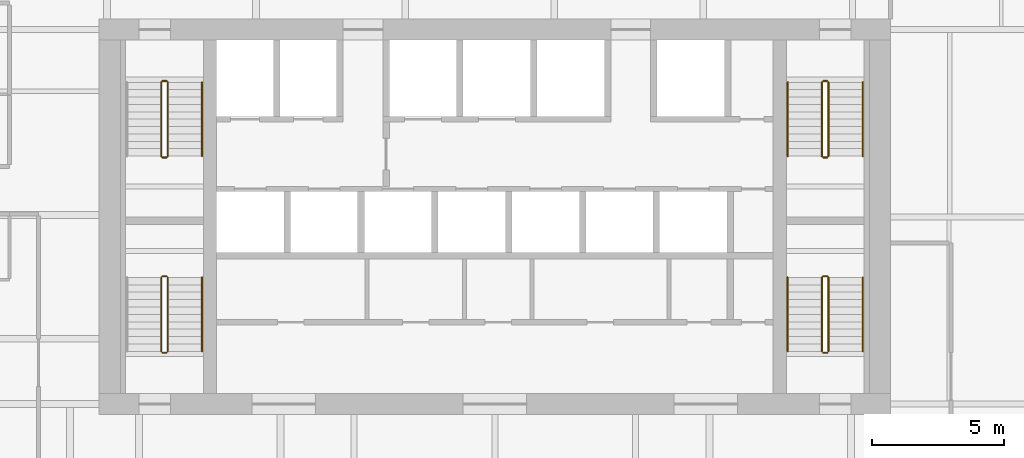
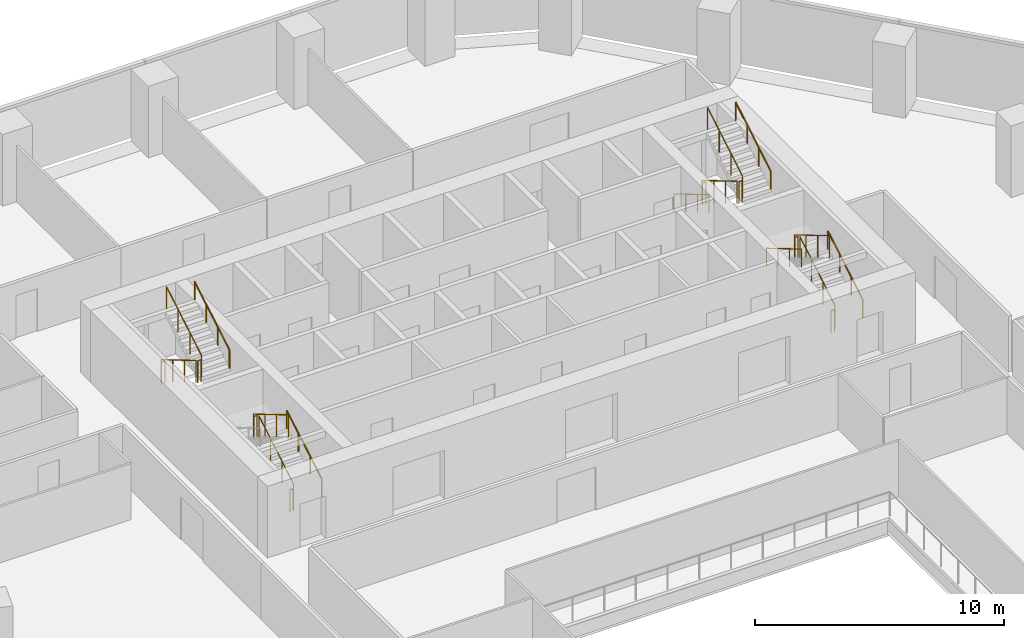
# One storey, part 15 of 16: 22 railings.
"""IFC4 building model written with IfcOpenShell, lengths in metres."""

import ifcopenshell
import ifcopenshell.guid

model = None  # the IFC model being written
_history = None  # IfcOwnerHistory: only IFC2X3 demands one
_inside = {}  # id of a spatial element -> (the spatial element, [elements in it])
_under = {}  # id of a project, library or spatial element -> (it, [spatial elements below it])
_declared = {}  # id of a project -> (the project, [libraries it declares])
_typed = {}  # id of a type object -> (the type object, [elements of that type])
_made_of = {}  # id of a material, layer set ... -> (it, [elements and type objects made of it])


def new_model(schema):
    """Start an empty IFC model of exactly this schema.

    Asked for "IFC4X3", IfcOpenShell would pick the latest addendum, in which some entities
    have other attributes; the version numbers below select the first issue.
    IFC2X3 requires an IfcOwnerHistory on every rooted entity: one is made here for all.
    """
    global model, _history
    if schema == "IFC4X3":
        model = ifcopenshell.file(schema_version=(4, 3, 0, 0))
    else:
        model = ifcopenshell.file(schema=schema)
    _inside.clear()
    _under.clear()
    _declared.clear()
    _typed.clear()
    _made_of.clear()
    _history = None
    if model.schema == "IFC2X3":
        org = make("IfcOrganization", Name="unknown")
        user = make(
            "IfcPersonAndOrganization",
            ThePerson=make("IfcPerson", FamilyName="unknown"),
            TheOrganization=org,
        )
        app = make(
            "IfcApplication",
            ApplicationDeveloper=org,
            Version="unknown",
            ApplicationFullName="unknown",
            ApplicationIdentifier="unknown",
        )
        _history = make(
            "IfcOwnerHistory",
            OwningUser=user,
            OwningApplication=app,
            ChangeAction="ADDED",
            CreationDate=0,
        )
    return model


def make(cls, **values):
    """One entity of the class cls with the attributes given. An attribute that is None is left unset."""
    return model.create_entity(
        cls, **{name: value for name, value in values.items() if value is not None}
    )


def rooted(cls, **values):
    """An entity with a GlobalId (a new one), such as an element, a storey or a relation."""
    return make(cls, GlobalId=ifcopenshell.guid.new(), OwnerHistory=_history, **values)


def si_unit(unit_type, name, prefix=None):
    """IfcSIUnit, for example si_unit("LENGTHUNIT", "METRE", prefix="MILLI")."""
    return make("IfcSIUnit", UnitType=unit_type, Prefix=prefix, Name=name)


def assignment(units):
    """IfcUnitAssignment: the units of a project."""
    return None if units is None else make("IfcUnitAssignment", Units=units)


def point(xyz):
    """IfcCartesianPoint."""
    return None if xyz is None else make("IfcCartesianPoint", Coordinates=xyz)


def direction(xyz):
    """IfcDirection."""
    return None if xyz is None else make("IfcDirection", DirectionRatios=xyz)


def frame(location, z_axis=None, x_axis=None):
    """IfcAxis2Placement3D, a coordinate frame: its origin and axes. An axis left out is left unset."""
    return make(
        "IfcAxis2Placement3D",
        Location=point(location),
        Axis=direction(z_axis),
        RefDirection=direction(x_axis),
    )


def frame_2d(location, x_axis=None):
    """IfcAxis2Placement2D, a coordinate frame in the plane: its origin and x axis."""
    return make(
        "IfcAxis2Placement2D", Location=point(location), RefDirection=direction(x_axis)
    )


def origin():
    """The frame at (0, 0, 0) with its axes left unset."""
    return frame((0.0, 0.0, 0.0))


def origin_2d():
    """The frame at (0, 0) in the plane with its x axis left unset."""
    return frame_2d((0.0, 0.0))


def place(relative_to, where):
    """IfcLocalPlacement: puts the frame where relative to a parent placement (None: the world)."""
    return make(
        "IfcLocalPlacement", PlacementRelTo=relative_to, RelativePlacement=where
    )


def context(
    kind, dimensions, precision=None, world=None, true_north=None, identifier=None
):
    """IfcGeometricRepresentationContext, for example the 3D "Model" context."""
    return make(
        "IfcGeometricRepresentationContext",
        ContextIdentifier=identifier,
        ContextType=kind,
        CoordinateSpaceDimension=dimensions,
        Precision=precision,
        WorldCoordinateSystem=world,
        TrueNorth=true_north,
    )


def subcontext(parent, identifier, kind, view, scale=None):
    """IfcGeometricRepresentationSubContext, for example "Body" below "Model"."""
    return make(
        "IfcGeometricRepresentationSubContext",
        ContextIdentifier=identifier,
        ContextType=kind,
        ParentContext=parent,
        TargetScale=scale,
        TargetView=view,
    )


def project(units=None, contexts=None):
    """IfcProject with its units and contexts."""
    return rooted(
        "IfcProject",
        Name="project",
        RepresentationContexts=contexts,
        UnitsInContext=assignment(units),
    )


def spatial(cls, under=None, at=None, **own):
    """A site, building, storey or space (cls), placed at a placement, below another one or the project."""
    s = rooted(cls, ObjectPlacement=at, **own)
    if under is not None:
        _under.setdefault(under.id(), (under, []))[1].append(s)
    return s


def profile(cls, at=None, kind="AREA", **sizes):
    """A parametric profile (cls). Its sizes go by their IFC names, for example OverallWidth=200.0."""
    return make(cls, ProfileType=kind, Position=at, **sizes)


def circle(**sizes):
    """IfcCircleProfileDef."""
    return profile("IfcCircleProfileDef", **sizes)


def extrude(swept, where, along, depth):
    """IfcExtrudedAreaSolid: the profile swept, set in the frame where, extruded along a direction by depth."""
    return make(
        "IfcExtrudedAreaSolid",
        SweptArea=swept,
        Position=where,
        ExtrudedDirection=direction(along),
        Depth=depth,
    )


def shape(context_of_items, identifier, shape_type, items):
    """IfcShapeRepresentation: the items that make up one representation, for example the "Body"."""
    return make(
        "IfcShapeRepresentation",
        ContextOfItems=context_of_items,
        RepresentationIdentifier=identifier,
        RepresentationType=shape_type,
        Items=items,
    )


def material(Name=None, Category=None):
    """IfcMaterial."""
    return make("IfcMaterial", Name=Name, Category=Category)


def made_of(thing, what):
    """Note that an element or type object is made of a material, layer set ...; save() writes the relation."""
    if what is not None:
        _made_of.setdefault(what.id(), (what, []))[1].append(thing)
    return thing


def type_object(cls, material=None, **own):
    """A type object (cls), such as IfcWallType, which elements share."""
    return made_of(rooted(cls, **own), material)


def element(
    cls,
    number,
    at=None,
    inside=None,
    cuts=None,
    type_object=None,
    material=None,
    context=None,
    identifier="Body",
    shape_type=None,
    held_by="IfcProductDefinitionShape",
    body=None,
    shapes=None,
    **own,
):
    """One element of the class cls, such as IfcWall. Its Tag is "e" and its number.

    at: its placement. inside: the storey or other place that contains it. cuts: it is an
    opening in that element (IfcRelVoidsElement). A single representation is given by context,
    identifier, shape_type and body (its items); several are given by shapes. held_by: the class
    of the entity that holds the representations. save() writes the other relations.
    """
    e = rooted(cls, Tag="e%d" % number, ObjectPlacement=at, **own)
    if body is not None:
        shapes = [shape(context, identifier, shape_type, body)]
    if shapes is not None:
        e.Representation = make(held_by, Representations=shapes)
    if inside is not None:
        _inside.setdefault(inside.id(), (inside, []))[1].append(e)
    if cuts is not None:
        rooted(
            "IfcRelVoidsElement", RelatingBuildingElement=cuts, RelatedOpeningElement=e
        )
    if type_object is not None:
        _typed.setdefault(type_object.id(), (type_object, []))[1].append(e)
    return made_of(e, material)


def aggregate(whole, parts):
    """IfcRelAggregates: a whole, such as a stair, and the parts it consists of."""
    return rooted("IfcRelAggregates", RelatingObject=whole, RelatedObjects=parts)


def save(model, path):
    """Write the relations noted so far, then the file.

    IfcRelAggregates (storeys below a building ...), IfcRelContainedInSpatialStructure (elements
    in a storey), IfcRelDefinesByType, IfcRelAssociatesMaterial and IfcRelDeclares: one each for
    every whole, place, type object, material and project.
    """
    for whole, parts in _under.values():
        aggregate(whole, parts)
    for where, things in _inside.values():
        rooted(
            "IfcRelContainedInSpatialStructure",
            RelatedElements=things,
            RelatingStructure=where,
        )
    for kind, things in _typed.values():
        rooted("IfcRelDefinesByType", RelatedObjects=things, RelatingType=kind)
    for what, things in _made_of.values():
        rooted("IfcRelAssociatesMaterial", RelatedObjects=things, RelatingMaterial=what)
    for by, libraries in _declared.values():
        rooted("IfcRelDeclares", RelatingContext=by, RelatedDefinitions=libraries)
    model.write(path)


model = new_model("IFC4")

# Units and contexts
model_context = context("Model", 3, precision=1e-05, world=origin(), true_north=direction((0.0, 1.0)))
body_context = subcontext(model_context, "Body", "Model", "MODEL_VIEW")
ifc_project = project(units=[si_unit("LENGTHUNIT", "METRE"), si_unit("AREAUNIT", "SQUARE_METRE"), si_unit("VOLUMEUNIT", "CUBIC_METRE"), si_unit("PLANEANGLEUNIT", "RADIAN"), si_unit("MASSUNIT", "GRAM", prefix="KILO")], contexts=[model_context])

# Site, building, storey
site_placement = place(None, origin())
site = spatial("IfcSite", under=ifc_project, at=site_placement, CompositionType="ELEMENT")
building_placement = place(site_placement, origin())
building = spatial("IfcBuilding", under=site, at=building_placement, Name="Isthmus Gate Tower", CompositionType="ELEMENT")
storey_placement = place(building_placement, frame((0.0, 0.0, 148.050048828125)))
storey = spatial("IfcBuildingStorey", under=building, at=storey_placement, Name="L36", CompositionType="ELEMENT", Elevation=148.050048828125)

# Railings
ifc_material_1 = material(Name="Stainless steel balustrade", Category="steel")
railing_type_1 = type_object("IfcRailingType", Name="STAIR GUARD 1100", PredefinedType="GUARDRAIL", material=ifc_material_1)
railing_1_placement = place(storey_placement, frame((-12.64990234375, 12.60009765625, 0.165771484375)))
element("IfcRailing", 1, at=railing_1_placement, inside=storey, type_object=railing_type_1, Name="L36 ST1 stair guard 1", PredefinedType="GUARDRAIL", context=body_context, shape_type="SweptSolid", body=[
    extrude(circle(Radius=0.02392578125, at=origin_2d()), frame((0.0, 0.0, 1.076171875), z_axis=(0.0, -0.860306154799, 0.50977771628), x_axis=(1.0, 0.0, 0.0)), (0.0, 0.0, 1.0), 3.254638671875),
    extrude(circle(Radius=0.02099609375, at=origin_2d()), origin(), (0.0, 0.0, 1.0), 1.052001953125),
    extrude(circle(Radius=0.02099609375, at=origin_2d()), frame((0.0, -0.933349609375, 0.552978515625)), (0.0, 0.0, 1.0), 1.052001953125),
    extrude(circle(Radius=0.02099609375, at=origin_2d()), frame((0.0, -1.86669921875, 1.106201171875)), (0.0, 0.0, 1.0), 1.052001953125),
    extrude(circle(Radius=0.02099609375, at=origin_2d()), frame((0.0, -2.800048828125, 1.6591796875)), (0.0, 0.0, 1.0), 1.052001953125),
])
railing_2_placement = place(storey_placement, frame((-12.60009765625, 9.75, 1.824951171875)))
element("IfcRailing", 2, at=railing_2_placement, inside=storey, type_object=railing_type_1, Name="L36 ST1 stair guard 2", PredefinedType="GUARDRAIL", context=body_context, shape_type="SweptSolid", body=[
    extrude(circle(Radius=0.02392578125, at=origin_2d()), frame((0.0, 0.0, 1.076171875), z_axis=(1.0, 0.0, 0.0), x_axis=(0.0, 1.0, 0.0)), (0.0, 0.0, 1.0), 0.150146484375),
    extrude(circle(Radius=0.02099609375, at=origin_2d()), origin(), (0.0, 0.0, 1.0), 1.052001953125),
    extrude(circle(Radius=0.02099609375, at=origin_2d()), frame((0.150146484375, 0.0, 0.0)), (0.0, 0.0, 1.0), 1.052001953125),
])
railing_3_placement = place(storey_placement, frame((-12.39990234375, 9.800048828125, 1.990966796875)))
element("IfcRailing", 3, at=railing_3_placement, inside=storey, type_object=railing_type_1, Name="L36 ST1 stair guard 3", PredefinedType="GUARDRAIL", context=body_context, shape_type="SweptSolid", body=[
    extrude(circle(Radius=0.02392578125, at=origin_2d()), frame((0.0, 0.0, 1.076171875), z_axis=(0.0, 0.860339051648, 0.50972219513), x_axis=(-1.0, 0.0, 0.0)), (0.0, 0.0, 1.0), 3.254638671875),
    extrude(circle(Radius=0.02099609375, at=origin_2d()), origin(), (0.0, 0.0, 1.0), 1.052001953125),
    extrude(circle(Radius=0.02099609375, at=origin_2d()), frame((0.0, 0.933349609375, 0.552978515625)), (0.0, 0.0, 1.0), 1.052001953125),
    extrude(circle(Radius=0.02099609375, at=origin_2d()), frame((0.0, 1.86669921875, 1.10595703125)), (0.0, 0.0, 1.0), 1.052001953125),
    extrude(circle(Radius=0.02099609375, at=origin_2d()), frame((0.0, 2.800048828125, 1.658935546875)), (0.0, 0.0, 1.0), 1.052001953125),
])
railing_4_placement = place(storey_placement, frame((-12.60009765625, 12.64990234375, 0.0)))
element("IfcRailing", 4, at=railing_4_placement, inside=storey, type_object=railing_type_1, Name="L36 ST1 stair guard 4", PredefinedType="GUARDRAIL", context=body_context, shape_type="SweptSolid", body=[
    extrude(circle(Radius=0.02392578125, at=origin_2d()), frame((0.0, 0.0, 1.076171875), z_axis=(1.0, 0.0, 0.0), x_axis=(0.0, 1.0, 0.0)), (0.0, 0.0, 1.0), 0.150146484375),
    extrude(circle(Radius=0.02099609375, at=origin_2d()), origin(), (0.0, 0.0, 1.0), 1.052001953125),
    extrude(circle(Radius=0.02099609375, at=origin_2d()), frame((0.150146484375, 0.0, 0.0)), (0.0, 0.0, 1.0), 1.052001953125),
])
railing_5_placement = place(storey_placement, frame((12.39990234375, 12.60009765625, 0.165771484375)))
element("IfcRailing", 5, at=railing_5_placement, inside=storey, type_object=railing_type_1, Name="L36 ST2 stair guard 1", PredefinedType="GUARDRAIL", context=body_context, shape_type="SweptSolid", body=[
    extrude(circle(Radius=0.02392578125, at=origin_2d()), frame((0.0, 0.0, 1.076171875), z_axis=(0.0, -0.860306154799, 0.50977771628), x_axis=(1.0, 0.0, 0.0)), (0.0, 0.0, 1.0), 3.254638671875),
    extrude(circle(Radius=0.02099609375, at=origin_2d()), origin(), (0.0, 0.0, 1.0), 1.052001953125),
    extrude(circle(Radius=0.02099609375, at=origin_2d()), frame((0.0, -0.933349609375, 0.552978515625)), (0.0, 0.0, 1.0), 1.052001953125),
    extrude(circle(Radius=0.02099609375, at=origin_2d()), frame((0.0, -1.86669921875, 1.106201171875)), (0.0, 0.0, 1.0), 1.052001953125),
    extrude(circle(Radius=0.02099609375, at=origin_2d()), frame((0.0, -2.800048828125, 1.6591796875)), (0.0, 0.0, 1.0), 1.052001953125),
])
railing_6_placement = place(storey_placement, frame((12.449951171875, 9.75, 1.824951171875)))
element("IfcRailing", 6, at=railing_6_placement, inside=storey, type_object=railing_type_1, Name="L36 ST2 stair guard 2", PredefinedType="GUARDRAIL", context=body_context, shape_type="SweptSolid", body=[
    extrude(circle(Radius=0.02392578125, at=origin_2d()), frame((0.0, 0.0, 1.076171875), z_axis=(1.0, 0.0, 0.0), x_axis=(0.0, 1.0, 0.0)), (0.0, 0.0, 1.0), 0.150146484375),
    extrude(circle(Radius=0.02099609375, at=origin_2d()), origin(), (0.0, 0.0, 1.0), 1.052001953125),
    extrude(circle(Radius=0.02099609375, at=origin_2d()), frame((0.150146484375, 0.0, 0.0)), (0.0, 0.0, 1.0), 1.052001953125),
])
railing_7_placement = place(storey_placement, frame((12.64990234375, 9.800048828125, 1.990966796875)))
element("IfcRailing", 7, at=railing_7_placement, inside=storey, type_object=railing_type_1, Name="L36 ST2 stair guard 3", PredefinedType="GUARDRAIL", context=body_context, shape_type="SweptSolid", body=[
    extrude(circle(Radius=0.02392578125, at=origin_2d()), frame((0.0, 0.0, 1.076171875), z_axis=(0.0, 0.860339051648, 0.50972219513), x_axis=(-1.0, 0.0, 0.0)), (0.0, 0.0, 1.0), 3.254638671875),
    extrude(circle(Radius=0.02099609375, at=origin_2d()), origin(), (0.0, 0.0, 1.0), 1.052001953125),
    extrude(circle(Radius=0.02099609375, at=origin_2d()), frame((0.0, 0.933349609375, 0.552978515625)), (0.0, 0.0, 1.0), 1.052001953125),
    extrude(circle(Radius=0.02099609375, at=origin_2d()), frame((0.0, 1.86669921875, 1.10595703125)), (0.0, 0.0, 1.0), 1.052001953125),
    extrude(circle(Radius=0.02099609375, at=origin_2d()), frame((0.0, 2.800048828125, 1.658935546875)), (0.0, 0.0, 1.0), 1.052001953125),
])
railing_8_placement = place(storey_placement, frame((12.449951171875, 12.64990234375, 0.0)))
element("IfcRailing", 8, at=railing_8_placement, inside=storey, type_object=railing_type_1, Name="L36 ST2 stair guard 4", PredefinedType="GUARDRAIL", context=body_context, shape_type="SweptSolid", body=[
    extrude(circle(Radius=0.02392578125, at=origin_2d()), frame((0.0, 0.0, 1.076171875), z_axis=(1.0, 0.0, 0.0), x_axis=(0.0, 1.0, 0.0)), (0.0, 0.0, 1.0), 0.150146484375),
    extrude(circle(Radius=0.02099609375, at=origin_2d()), origin(), (0.0, 0.0, 1.0), 1.052001953125),
    extrude(circle(Radius=0.02099609375, at=origin_2d()), frame((0.150146484375, 0.0, 0.0)), (0.0, 0.0, 1.0), 1.052001953125),
])
railing_9_placement = place(storey_placement, frame((-12.39990234375, 2.39990234375, 0.165771484375)))
element("IfcRailing", 9, at=railing_9_placement, inside=storey, type_object=railing_type_1, Name="L36 ST7 stair guard 1", PredefinedType="GUARDRAIL", context=body_context, shape_type="SweptSolid", body=[
    extrude(circle(Radius=0.02392578125, at=origin_2d()), frame((0.0, 0.0, 1.076171875), z_axis=(0.0, 0.860306154799, 0.50977771628), x_axis=(-1.0, 0.0, 0.0)), (0.0, 0.0, 1.0), 3.254638671875),
    extrude(circle(Radius=0.02099609375, at=origin_2d()), origin(), (0.0, 0.0, 1.0), 1.052001953125),
    extrude(circle(Radius=0.02099609375, at=origin_2d()), frame((0.0, 0.933349609375, 0.552978515625)), (0.0, 0.0, 1.0), 1.052001953125),
    extrude(circle(Radius=0.02099609375, at=origin_2d()), frame((0.0, 1.86669921875, 1.106201171875)), (0.0, 0.0, 1.0), 1.052001953125),
    extrude(circle(Radius=0.02099609375, at=origin_2d()), frame((0.0, 2.800048828125, 1.6591796875)), (0.0, 0.0, 1.0), 1.052001953125),
])
railing_10_placement = place(storey_placement, frame((-12.449951171875, 5.25, 1.824951171875)))
element("IfcRailing", 10, at=railing_10_placement, inside=storey, type_object=railing_type_1, Name="L36 ST7 stair guard 2", PredefinedType="GUARDRAIL", context=body_context, shape_type="SweptSolid", body=[
    extrude(circle(Radius=0.02392578125, at=origin_2d()), frame((0.0, 0.0, 1.076171875), z_axis=(-1.0, 0.0, 0.0), x_axis=(0.0, -1.0, 0.0)), (0.0, 0.0, 1.0), 0.150146484375),
    extrude(circle(Radius=0.02099609375, at=origin_2d()), origin(), (0.0, 0.0, 1.0), 1.052001953125),
    extrude(circle(Radius=0.02099609375, at=origin_2d()), frame((-0.150146484375, 0.0, 0.0)), (0.0, 0.0, 1.0), 1.052001953125),
])
railing_11_placement = place(storey_placement, frame((-12.64990234375, 5.199951171875, 1.990966796875)))
element("IfcRailing", 11, at=railing_11_placement, inside=storey, type_object=railing_type_1, Name="L36 ST7 stair guard 3", PredefinedType="GUARDRAIL", context=body_context, shape_type="SweptSolid", body=[
    extrude(circle(Radius=0.02392578125, at=origin_2d()), frame((0.0, 0.0, 1.076171875), z_axis=(0.0, -0.860339051648, 0.50972219513), x_axis=(1.0, 0.0, 0.0)), (0.0, 0.0, 1.0), 3.254638671875),
    extrude(circle(Radius=0.02099609375, at=origin_2d()), origin(), (0.0, 0.0, 1.0), 1.052001953125),
    extrude(circle(Radius=0.02099609375, at=origin_2d()), frame((0.0, -0.933349609375, 0.552978515625)), (0.0, 0.0, 1.0), 1.052001953125),
    extrude(circle(Radius=0.02099609375, at=origin_2d()), frame((0.0, -1.86669921875, 1.10595703125)), (0.0, 0.0, 1.0), 1.052001953125),
    extrude(circle(Radius=0.02099609375, at=origin_2d()), frame((0.0, -2.800048828125, 1.658935546875)), (0.0, 0.0, 1.0), 1.052001953125),
])
railing_12_placement = place(storey_placement, frame((-12.449951171875, 2.35009765625, 0.0)))
element("IfcRailing", 12, at=railing_12_placement, inside=storey, type_object=railing_type_1, Name="L36 ST7 stair guard 4", PredefinedType="GUARDRAIL", context=body_context, shape_type="SweptSolid", body=[
    extrude(circle(Radius=0.02392578125, at=origin_2d()), frame((0.0, 0.0, 1.076171875), z_axis=(-1.0, 0.0, 0.0), x_axis=(0.0, -1.0, 0.0)), (0.0, 0.0, 1.0), 0.150146484375),
    extrude(circle(Radius=0.02099609375, at=origin_2d()), origin(), (0.0, 0.0, 1.0), 1.052001953125),
    extrude(circle(Radius=0.02099609375, at=origin_2d()), frame((-0.150146484375, 0.0, 0.0)), (0.0, 0.0, 1.0), 1.052001953125),
])
railing_13_placement = place(storey_placement, frame((12.64990234375, 2.39990234375, 0.165771484375)))
element("IfcRailing", 13, at=railing_13_placement, inside=storey, type_object=railing_type_1, Name="L36 ST8 stair guard 1", PredefinedType="GUARDRAIL", context=body_context, shape_type="SweptSolid", body=[
    extrude(circle(Radius=0.02392578125, at=origin_2d()), frame((0.0, 0.0, 1.076171875), z_axis=(0.0, 0.860306154799, 0.50977771628), x_axis=(-1.0, 0.0, 0.0)), (0.0, 0.0, 1.0), 3.254638671875),
    extrude(circle(Radius=0.02099609375, at=origin_2d()), origin(), (0.0, 0.0, 1.0), 1.052001953125),
    extrude(circle(Radius=0.02099609375, at=origin_2d()), frame((0.0, 0.933349609375, 0.552978515625)), (0.0, 0.0, 1.0), 1.052001953125),
    extrude(circle(Radius=0.02099609375, at=origin_2d()), frame((0.0, 1.86669921875, 1.106201171875)), (0.0, 0.0, 1.0), 1.052001953125),
    extrude(circle(Radius=0.02099609375, at=origin_2d()), frame((0.0, 2.800048828125, 1.6591796875)), (0.0, 0.0, 1.0), 1.052001953125),
])
railing_14_placement = place(storey_placement, frame((12.60009765625, 5.25, 1.824951171875)))
element("IfcRailing", 14, at=railing_14_placement, inside=storey, type_object=railing_type_1, Name="L36 ST8 stair guard 2", PredefinedType="GUARDRAIL", context=body_context, shape_type="SweptSolid", body=[
    extrude(circle(Radius=0.02392578125, at=origin_2d()), frame((0.0, 0.0, 1.076171875), z_axis=(-1.0, 0.0, 0.0), x_axis=(0.0, -1.0, 0.0)), (0.0, 0.0, 1.0), 0.150146484375),
    extrude(circle(Radius=0.02099609375, at=origin_2d()), origin(), (0.0, 0.0, 1.0), 1.052001953125),
    extrude(circle(Radius=0.02099609375, at=origin_2d()), frame((-0.150146484375, 0.0, 0.0)), (0.0, 0.0, 1.0), 1.052001953125),
])
railing_15_placement = place(storey_placement, frame((12.39990234375, 5.199951171875, 1.990966796875)))
element("IfcRailing", 15, at=railing_15_placement, inside=storey, type_object=railing_type_1, Name="L36 ST8 stair guard 3", PredefinedType="GUARDRAIL", context=body_context, shape_type="SweptSolid", body=[
    extrude(circle(Radius=0.02392578125, at=origin_2d()), frame((0.0, 0.0, 1.076171875), z_axis=(0.0, -0.860339051648, 0.50972219513), x_axis=(1.0, 0.0, 0.0)), (0.0, 0.0, 1.0), 3.254638671875),
    extrude(circle(Radius=0.02099609375, at=origin_2d()), origin(), (0.0, 0.0, 1.0), 1.052001953125),
    extrude(circle(Radius=0.02099609375, at=origin_2d()), frame((0.0, -0.933349609375, 0.552978515625)), (0.0, 0.0, 1.0), 1.052001953125),
    extrude(circle(Radius=0.02099609375, at=origin_2d()), frame((0.0, -1.86669921875, 1.10595703125)), (0.0, 0.0, 1.0), 1.052001953125),
    extrude(circle(Radius=0.02099609375, at=origin_2d()), frame((0.0, -2.800048828125, 1.658935546875)), (0.0, 0.0, 1.0), 1.052001953125),
])
railing_16_placement = place(storey_placement, frame((12.60009765625, 2.35009765625, 0.0)))
element("IfcRailing", 16, at=railing_16_placement, inside=storey, type_object=railing_type_1, Name="L36 ST8 stair guard 4", PredefinedType="GUARDRAIL", context=body_context, shape_type="SweptSolid", body=[
    extrude(circle(Radius=0.02392578125, at=origin_2d()), frame((0.0, 0.0, 1.076171875), z_axis=(-1.0, 0.0, 0.0), x_axis=(0.0, -1.0, 0.0)), (0.0, 0.0, 1.0), 0.150146484375),
    extrude(circle(Radius=0.02099609375, at=origin_2d()), origin(), (0.0, 0.0, 1.0), 1.052001953125),
    extrude(circle(Radius=0.02099609375, at=origin_2d()), frame((-0.150146484375, 0.0, 0.0)), (0.0, 0.0, 1.0), 1.052001953125),
])
ifc_material_2 = material(Name="Stainless steel handrail", Category="steel")
railing_type_2 = type_object("IfcRailingType", Name="STAIR HANDRAIL 900", PredefinedType="HANDRAIL", material=ifc_material_2)
railing_17_placement = place(storey_placement, frame((-11.10009765625, 9.800048828125, 1.990966796875)))
element("IfcRailing", 17, at=railing_17_placement, inside=storey, type_object=railing_type_2, Name="L36 ST1 stair handrail 2", PredefinedType="HANDRAIL", context=body_context, shape_type="SweptSolid", body=[
    extrude(circle(Radius=0.02392578125, at=origin_2d()), frame((0.0, 0.0, 0.8759765625), z_axis=(0.0, 0.860339051648, 0.50972219513), x_axis=(-1.0, 0.0, 0.0)), (0.0, 0.0, 1.0), 3.254638671875),
    extrude(circle(Radius=0.02099609375, at=origin_2d()), origin(), (0.0, 0.0, 1.0), 0.851806640625),
    extrude(circle(Radius=0.02099609375, at=origin_2d()), frame((0.0, 0.933349609375, 0.552978515625)), (0.0, 0.0, 1.0), 0.851806640625),
    extrude(circle(Radius=0.02099609375, at=origin_2d()), frame((0.0, 1.86669921875, 1.10595703125)), (0.0, 0.0, 1.0), 0.851806640625),
    extrude(circle(Radius=0.02099609375, at=origin_2d()), frame((0.0, 2.800048828125, 1.658935546875)), (0.0, 0.0, 1.0), 0.851806640625),
])
railing_18_placement = place(storey_placement, frame((11.10009765625, 12.60009765625, 0.165771484375)))
element("IfcRailing", 18, at=railing_18_placement, inside=storey, type_object=railing_type_2, Name="L36 ST2 stair handrail 1", PredefinedType="HANDRAIL", context=body_context, shape_type="SweptSolid", body=[
    extrude(circle(Radius=0.02392578125, at=origin_2d()), frame((0.0, 0.0, 0.8759765625), z_axis=(0.0, -0.860306154799, 0.50977771628), x_axis=(1.0, 0.0, 0.0)), (0.0, 0.0, 1.0), 3.254638671875),
    extrude(circle(Radius=0.02099609375, at=origin_2d()), origin(), (0.0, 0.0, 1.0), 0.851806640625),
    extrude(circle(Radius=0.02099609375, at=origin_2d()), frame((0.0, -0.933349609375, 0.552978515625)), (0.0, 0.0, 1.0), 0.851806640625),
    extrude(circle(Radius=0.02099609375, at=origin_2d()), frame((0.0, -1.86669921875, 1.106201171875)), (0.0, 0.0, 1.0), 0.851806640625),
    extrude(circle(Radius=0.02099609375, at=origin_2d()), frame((0.0, -2.800048828125, 1.6591796875)), (0.0, 0.0, 1.0), 0.851806640625),
])
railing_19_placement = place(storey_placement, frame((13.949951171875, 9.800048828125, 1.990966796875)))
element("IfcRailing", 19, at=railing_19_placement, inside=storey, type_object=railing_type_2, Name="L36 ST2 stair handrail 2", PredefinedType="HANDRAIL", context=body_context, shape_type="SweptSolid", body=[
    extrude(circle(Radius=0.02392578125, at=origin_2d()), frame((0.0, 0.0, 0.8759765625), z_axis=(0.0, 0.860339051648, 0.50972219513), x_axis=(-1.0, 0.0, 0.0)), (0.0, 0.0, 1.0), 3.254638671875),
    extrude(circle(Radius=0.02099609375, at=origin_2d()), origin(), (0.0, 0.0, 1.0), 0.851806640625),
    extrude(circle(Radius=0.02099609375, at=origin_2d()), frame((0.0, 0.933349609375, 0.552978515625)), (0.0, 0.0, 1.0), 0.851806640625),
    extrude(circle(Radius=0.02099609375, at=origin_2d()), frame((0.0, 1.86669921875, 1.10595703125)), (0.0, 0.0, 1.0), 0.851806640625),
    extrude(circle(Radius=0.02099609375, at=origin_2d()), frame((0.0, 2.800048828125, 1.658935546875)), (0.0, 0.0, 1.0), 0.851806640625),
])
for number, where, name in (
    (20, (-11.10009765625, 2.39990234375, 0.165771484375), "L36 ST7 stair handrail 1"),
    (21, (13.949951171875, 2.39990234375, 0.165771484375), "L36 ST8 stair handrail 1"),
):
    element("IfcRailing", number, at=place(storey_placement, frame(where)), inside=storey, type_object=railing_type_2, Name=name, PredefinedType="HANDRAIL", context=body_context, shape_type="SweptSolid", body=[
        extrude(circle(Radius=0.02392578125, at=origin_2d()), frame((0.0, 0.0, 0.8759765625), z_axis=(0.0, 0.860306154799, 0.50977771628), x_axis=(-1.0, 0.0, 0.0)), (0.0, 0.0, 1.0), 3.254638671875),
        extrude(circle(Radius=0.02099609375, at=origin_2d()), origin(), (0.0, 0.0, 1.0), 0.851806640625),
        extrude(circle(Radius=0.02099609375, at=origin_2d()), frame((0.0, 0.933349609375, 0.552978515625)), (0.0, 0.0, 1.0), 0.851806640625),
        extrude(circle(Radius=0.02099609375, at=origin_2d()), frame((0.0, 1.86669921875, 1.106201171875)), (0.0, 0.0, 1.0), 0.851806640625),
        extrude(circle(Radius=0.02099609375, at=origin_2d()), frame((0.0, 2.800048828125, 1.6591796875)), (0.0, 0.0, 1.0), 0.851806640625),
    ])
railing_20_placement = place(storey_placement, frame((11.10009765625, 5.199951171875, 1.990966796875)))
element("IfcRailing", 22, at=railing_20_placement, inside=storey, type_object=railing_type_2, Name="L36 ST8 stair handrail 2", PredefinedType="HANDRAIL", context=body_context, shape_type="SweptSolid", body=[
    extrude(circle(Radius=0.02392578125, at=origin_2d()), frame((0.0, 0.0, 0.8759765625), z_axis=(0.0, -0.860339051648, 0.50972219513), x_axis=(1.0, 0.0, 0.0)), (0.0, 0.0, 1.0), 3.254638671875),
    extrude(circle(Radius=0.02099609375, at=origin_2d()), origin(), (0.0, 0.0, 1.0), 0.851806640625),
    extrude(circle(Radius=0.02099609375, at=origin_2d()), frame((0.0, -0.933349609375, 0.552978515625)), (0.0, 0.0, 1.0), 0.851806640625),
    extrude(circle(Radius=0.02099609375, at=origin_2d()), frame((0.0, -1.86669921875, 1.10595703125)), (0.0, 0.0, 1.0), 0.851806640625),
    extrude(circle(Radius=0.02099609375, at=origin_2d()), frame((0.0, -2.800048828125, 1.658935546875)), (0.0, 0.0, 1.0), 0.851806640625),
])

save(model, "model.ifc")
